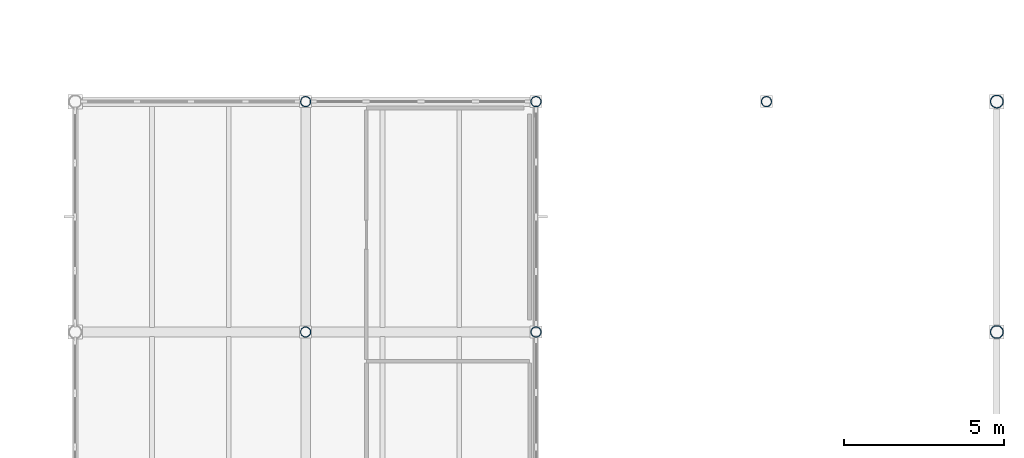
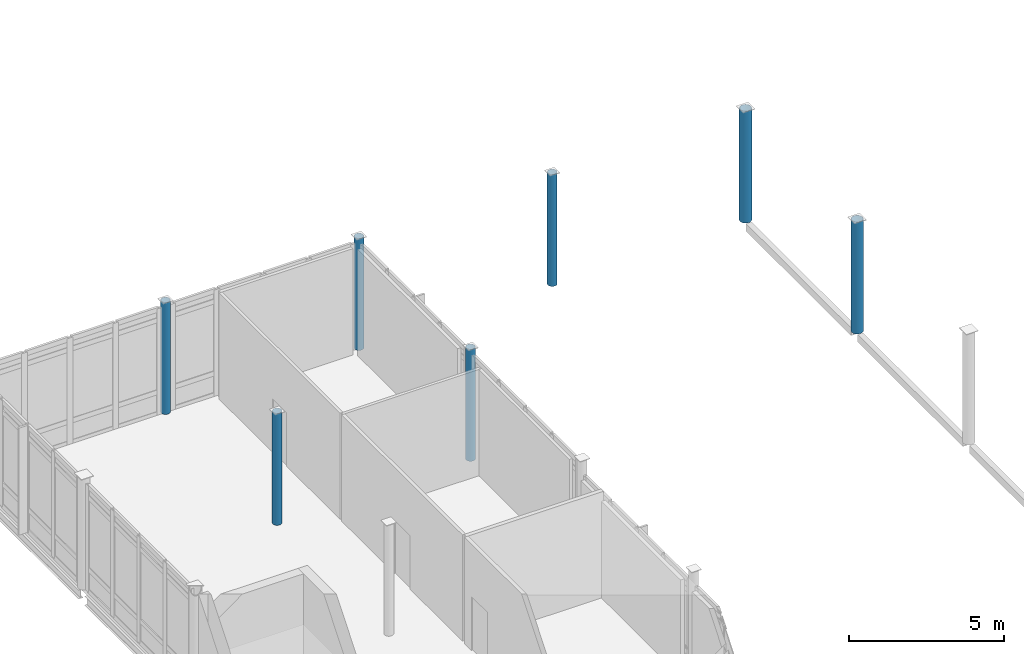
# One storey, part 10 of 76: 7 columns.
"""IFC4 building model written with IfcOpenShell, lengths in metres."""

from ifc_helpers import new_model, si_unit, direction, frame, origin, origin_2d, place, context, subcontext, project, spatial, hollow_circle, extrude, material, material_profile, profile_set, type_object, element, save


model = new_model("IFC4")

# Units and contexts
model_context = context("Model", 3, precision=1e-05, world=origin(), true_north=direction((0.0, 1.0)))
body_context = subcontext(model_context, "Body", "Model", "MODEL_VIEW")
ifc_project = project(units=[si_unit("LENGTHUNIT", "METRE"), si_unit("AREAUNIT", "SQUARE_METRE"), si_unit("VOLUMEUNIT", "CUBIC_METRE"), si_unit("PLANEANGLEUNIT", "RADIAN"), si_unit("MASSUNIT", "GRAM", prefix="KILO")], contexts=[model_context])

# Site, building, storey
site_placement = place(None, origin())
site = spatial("IfcSite", under=ifc_project, at=site_placement, CompositionType="ELEMENT")
building_placement = place(site_placement, origin())
building = spatial("IfcBuilding", under=site, at=building_placement, Name="Zarrinpeak Specialist Clinic", CompositionType="ELEMENT")
storey_placement = place(building_placement, frame((0.0, 0.0, 5.199951171875)))
storey = spatial("IfcBuildingStorey", under=building, at=storey_placement, Name="L01", CompositionType="ELEMENT", Elevation=5.199951171875)

# Columns
ifc_material = material(Name="Steel S355", Category="steel")
ifc_material_profile_1 = material_profile(ifc_material, hollow_circle(Radius=0.161865234375, WallThickness=0.012451171875, at=origin_2d()), Name="CHS 323.9x12.5")
ifc_profile_set_1 = profile_set([ifc_material_profile_1], Name="Steel S355")
column_type_1 = type_object("IfcColumnType", Name="COL-CHS324", PredefinedType="COLUMN", material=ifc_profile_set_1)
for number, where, z_axis, x_axis, name in (
    (1, (100.800048828125, 64.800048828125, 0.0), (0.0, 0.0, 1.0), (1.0, 0.0, 0.0), "L01 Structural Column COL-L01-148"),
    (2, (100.800048828125, 72.0, 0.0), (0.0, 0.0, 1.0), (1.0, 0.0, 0.0), "L01 Structural Column COL-L01-149"),
    (3, (108.0, 64.800048828125, 0.0), (0.0, 0.0, 1.0), (1.0, 0.0, 0.0), "L01 Structural Column COL-L01-155"),
    (4, (108.0, 72.0, 0.0), (0.0, 0.0, 1.0), (1.0, 0.0, 0.0), "L01 Structural Column COL-L01-156"),
    (5, (115.199951171875, 72.0, 0.0), (0.0, 0.0, 1.0), (1.0, 0.0, 0.0), "L01 Structural Column COL-L01-158"),
):
    element("IfcColumn", number, at=place(storey_placement, frame(where, z_axis=z_axis, x_axis=x_axis)), inside=storey, type_object=column_type_1, Name=name, PredefinedType="COLUMN", context=body_context, shape_type="SweptSolid", body=[
        extrude(hollow_circle(Radius=0.161865234375, WallThickness=0.012451171875, at=origin_2d()), origin(), (0.0, 0.0, 1.0), 4.400146484375),
    ])
ifc_material_profile_2 = material_profile(ifc_material, hollow_circle(Radius=0.203125, WallThickness=0.01611328125, at=origin_2d()), Name="CHS 406.4x16.0")
ifc_profile_set_2 = profile_set([ifc_material_profile_2], Name="Steel S355")
column_type_2 = type_object("IfcColumnType", Name="COL-CHS406", PredefinedType="COLUMN", material=ifc_profile_set_2)
for number, where, z_axis, x_axis, name in (
    (6, (122.39990234375, 64.800048828125, 0.0), (0.0, 0.0, 1.0), (1.0, 0.0, 0.0), "L01 Structural Column COL-L01-164"),
    (7, (122.39990234375, 72.0, 0.0), (0.0, 0.0, 1.0), (1.0, 0.0, 0.0), "L01 Structural Column COL-L01-165"),
):
    element("IfcColumn", number, at=place(storey_placement, frame(where, z_axis=z_axis, x_axis=x_axis)), inside=storey, type_object=column_type_2, Name=name, PredefinedType="COLUMN", context=body_context, shape_type="SweptSolid", body=[
        extrude(hollow_circle(Radius=0.203125, WallThickness=0.01611328125, at=origin_2d()), origin(), (0.0, 0.0, 1.0), 4.400146484375),
    ])

save(model, "model.ifc")
